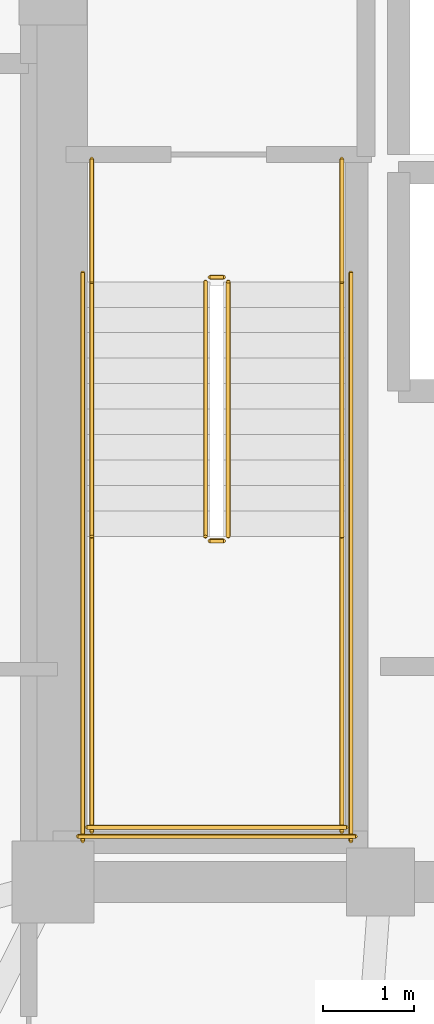
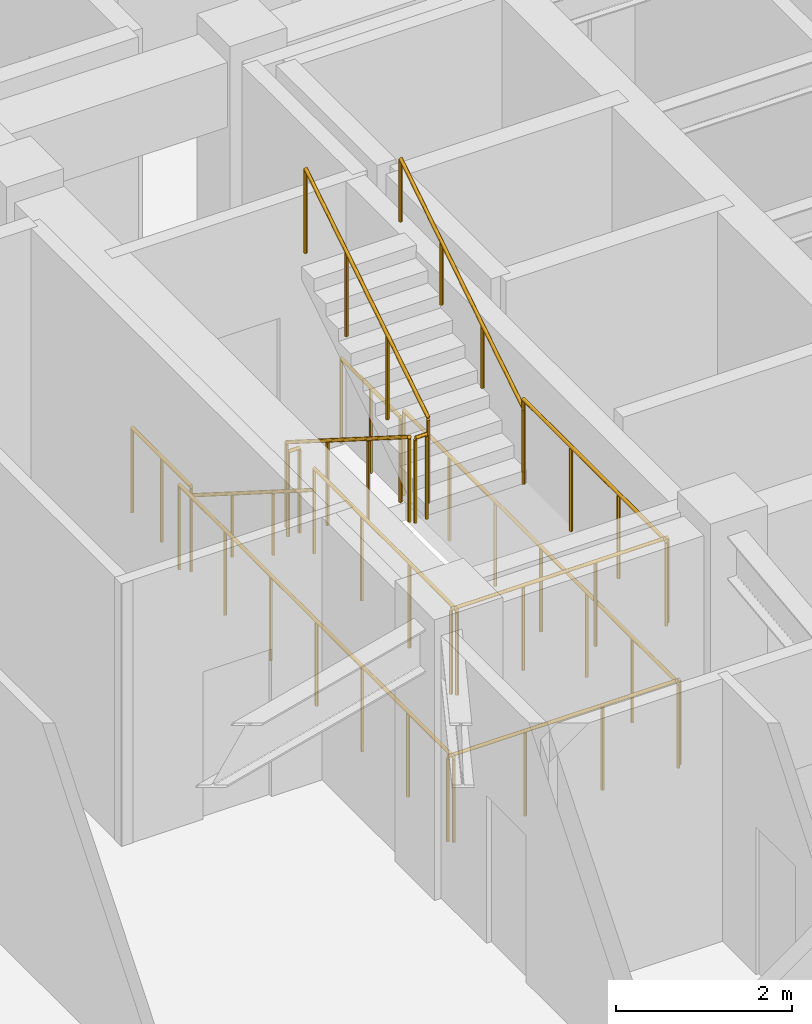
# One storey, part 11 of 12: 14 railings.
"""IFC4 building model written with IfcOpenShell, lengths in metres."""

import ifcopenshell
import ifcopenshell.guid

model = None  # the IFC model being written
_history = None  # IfcOwnerHistory: only IFC2X3 demands one
_inside = {}  # id of a spatial element -> (the spatial element, [elements in it])
_under = {}  # id of a project, library or spatial element -> (it, [spatial elements below it])
_declared = {}  # id of a project -> (the project, [libraries it declares])
_typed = {}  # id of a type object -> (the type object, [elements of that type])
_made_of = {}  # id of a material, layer set ... -> (it, [elements and type objects made of it])


def new_model(schema):
    """Start an empty IFC model of exactly this schema.

    Asked for "IFC4X3", IfcOpenShell would pick the latest addendum, in which some entities
    have other attributes; the version numbers below select the first issue.
    IFC2X3 requires an IfcOwnerHistory on every rooted entity: one is made here for all.
    """
    global model, _history
    if schema == "IFC4X3":
        model = ifcopenshell.file(schema_version=(4, 3, 0, 0))
    else:
        model = ifcopenshell.file(schema=schema)
    _inside.clear()
    _under.clear()
    _declared.clear()
    _typed.clear()
    _made_of.clear()
    _history = None
    if model.schema == "IFC2X3":
        org = make("IfcOrganization", Name="unknown")
        user = make(
            "IfcPersonAndOrganization",
            ThePerson=make("IfcPerson", FamilyName="unknown"),
            TheOrganization=org,
        )
        app = make(
            "IfcApplication",
            ApplicationDeveloper=org,
            Version="unknown",
            ApplicationFullName="unknown",
            ApplicationIdentifier="unknown",
        )
        _history = make(
            "IfcOwnerHistory",
            OwningUser=user,
            OwningApplication=app,
            ChangeAction="ADDED",
            CreationDate=0,
        )
    return model


def make(cls, **values):
    """One entity of the class cls with the attributes given. An attribute that is None is left unset."""
    return model.create_entity(
        cls, **{name: value for name, value in values.items() if value is not None}
    )


def rooted(cls, **values):
    """An entity with a GlobalId (a new one), such as an element, a storey or a relation."""
    return make(cls, GlobalId=ifcopenshell.guid.new(), OwnerHistory=_history, **values)


def si_unit(unit_type, name, prefix=None):
    """IfcSIUnit, for example si_unit("LENGTHUNIT", "METRE", prefix="MILLI")."""
    return make("IfcSIUnit", UnitType=unit_type, Prefix=prefix, Name=name)


def assignment(units):
    """IfcUnitAssignment: the units of a project."""
    return None if units is None else make("IfcUnitAssignment", Units=units)


def point(xyz):
    """IfcCartesianPoint."""
    return None if xyz is None else make("IfcCartesianPoint", Coordinates=xyz)


def direction(xyz):
    """IfcDirection."""
    return None if xyz is None else make("IfcDirection", DirectionRatios=xyz)


def frame(location, z_axis=None, x_axis=None):
    """IfcAxis2Placement3D, a coordinate frame: its origin and axes. An axis left out is left unset."""
    return make(
        "IfcAxis2Placement3D",
        Location=point(location),
        Axis=direction(z_axis),
        RefDirection=direction(x_axis),
    )


def frame_2d(location, x_axis=None):
    """IfcAxis2Placement2D, a coordinate frame in the plane: its origin and x axis."""
    return make(
        "IfcAxis2Placement2D", Location=point(location), RefDirection=direction(x_axis)
    )


def origin():
    """The frame at (0, 0, 0) with its axes left unset."""
    return frame((0.0, 0.0, 0.0))


def origin_2d():
    """The frame at (0, 0) in the plane with its x axis left unset."""
    return frame_2d((0.0, 0.0))


def place(relative_to, where):
    """IfcLocalPlacement: puts the frame where relative to a parent placement (None: the world)."""
    return make(
        "IfcLocalPlacement", PlacementRelTo=relative_to, RelativePlacement=where
    )


def context(
    kind, dimensions, precision=None, world=None, true_north=None, identifier=None
):
    """IfcGeometricRepresentationContext, for example the 3D "Model" context."""
    return make(
        "IfcGeometricRepresentationContext",
        ContextIdentifier=identifier,
        ContextType=kind,
        CoordinateSpaceDimension=dimensions,
        Precision=precision,
        WorldCoordinateSystem=world,
        TrueNorth=true_north,
    )


def subcontext(parent, identifier, kind, view, scale=None):
    """IfcGeometricRepresentationSubContext, for example "Body" below "Model"."""
    return make(
        "IfcGeometricRepresentationSubContext",
        ContextIdentifier=identifier,
        ContextType=kind,
        ParentContext=parent,
        TargetScale=scale,
        TargetView=view,
    )


def project(units=None, contexts=None):
    """IfcProject with its units and contexts."""
    return rooted(
        "IfcProject",
        Name="project",
        RepresentationContexts=contexts,
        UnitsInContext=assignment(units),
    )


def spatial(cls, under=None, at=None, **own):
    """A site, building, storey or space (cls), placed at a placement, below another one or the project."""
    s = rooted(cls, ObjectPlacement=at, **own)
    if under is not None:
        _under.setdefault(under.id(), (under, []))[1].append(s)
    return s


def profile(cls, at=None, kind="AREA", **sizes):
    """A parametric profile (cls). Its sizes go by their IFC names, for example OverallWidth=200.0."""
    return make(cls, ProfileType=kind, Position=at, **sizes)


def circle(**sizes):
    """IfcCircleProfileDef."""
    return profile("IfcCircleProfileDef", **sizes)


def extrude(swept, where, along, depth):
    """IfcExtrudedAreaSolid: the profile swept, set in the frame where, extruded along a direction by depth."""
    return make(
        "IfcExtrudedAreaSolid",
        SweptArea=swept,
        Position=where,
        ExtrudedDirection=direction(along),
        Depth=depth,
    )


def shape(context_of_items, identifier, shape_type, items):
    """IfcShapeRepresentation: the items that make up one representation, for example the "Body"."""
    return make(
        "IfcShapeRepresentation",
        ContextOfItems=context_of_items,
        RepresentationIdentifier=identifier,
        RepresentationType=shape_type,
        Items=items,
    )


def material(Name=None, Category=None):
    """IfcMaterial."""
    return make("IfcMaterial", Name=Name, Category=Category)


def made_of(thing, what):
    """Note that an element or type object is made of a material, layer set ...; save() writes the relation."""
    if what is not None:
        _made_of.setdefault(what.id(), (what, []))[1].append(thing)
    return thing


def type_object(cls, material=None, **own):
    """A type object (cls), such as IfcWallType, which elements share."""
    return made_of(rooted(cls, **own), material)


def element(
    cls,
    number,
    at=None,
    inside=None,
    cuts=None,
    type_object=None,
    material=None,
    context=None,
    identifier="Body",
    shape_type=None,
    held_by="IfcProductDefinitionShape",
    body=None,
    shapes=None,
    **own,
):
    """One element of the class cls, such as IfcWall. Its Tag is "e" and its number.

    at: its placement. inside: the storey or other place that contains it. cuts: it is an
    opening in that element (IfcRelVoidsElement). A single representation is given by context,
    identifier, shape_type and body (its items); several are given by shapes. held_by: the class
    of the entity that holds the representations. save() writes the other relations.
    """
    e = rooted(cls, Tag="e%d" % number, ObjectPlacement=at, **own)
    if body is not None:
        shapes = [shape(context, identifier, shape_type, body)]
    if shapes is not None:
        e.Representation = make(held_by, Representations=shapes)
    if inside is not None:
        _inside.setdefault(inside.id(), (inside, []))[1].append(e)
    if cuts is not None:
        rooted(
            "IfcRelVoidsElement", RelatingBuildingElement=cuts, RelatedOpeningElement=e
        )
    if type_object is not None:
        _typed.setdefault(type_object.id(), (type_object, []))[1].append(e)
    return made_of(e, material)


def aggregate(whole, parts):
    """IfcRelAggregates: a whole, such as a stair, and the parts it consists of."""
    return rooted("IfcRelAggregates", RelatingObject=whole, RelatedObjects=parts)


def save(model, path):
    """Write the relations noted so far, then the file.

    IfcRelAggregates (storeys below a building ...), IfcRelContainedInSpatialStructure (elements
    in a storey), IfcRelDefinesByType, IfcRelAssociatesMaterial and IfcRelDeclares: one each for
    every whole, place, type object, material and project.
    """
    for whole, parts in _under.values():
        aggregate(whole, parts)
    for where, things in _inside.values():
        rooted(
            "IfcRelContainedInSpatialStructure",
            RelatedElements=things,
            RelatingStructure=where,
        )
    for kind, things in _typed.values():
        rooted("IfcRelDefinesByType", RelatedObjects=things, RelatingType=kind)
    for what, things in _made_of.values():
        rooted("IfcRelAssociatesMaterial", RelatedObjects=things, RelatingMaterial=what)
    for by, libraries in _declared.values():
        rooted("IfcRelDeclares", RelatingContext=by, RelatedDefinitions=libraries)
    model.write(path)


model = new_model("IFC4")

# Units and contexts
model_context = context("Model", 3, precision=1e-05, world=origin(), true_north=direction((0.0, 1.0)))
body_context = subcontext(model_context, "Body", "Model", "MODEL_VIEW")
ifc_project = project(units=[si_unit("LENGTHUNIT", "METRE"), si_unit("AREAUNIT", "SQUARE_METRE"), si_unit("VOLUMEUNIT", "CUBIC_METRE"), si_unit("PLANEANGLEUNIT", "RADIAN"), si_unit("MASSUNIT", "GRAM", prefix="KILO")], contexts=[model_context])

# Site, building, storey
site_placement = place(None, origin())
site = spatial("IfcSite", under=ifc_project, at=site_placement, CompositionType="ELEMENT")
building_placement = place(site_placement, origin())
building = spatial("IfcBuilding", under=site, at=building_placement, Name="Voryun Gate Residences", CompositionType="ELEMENT")
storey_placement = place(building_placement, frame((0.0, 0.0, 167.699951171875)))
storey = spatial("IfcBuildingStorey", under=building, at=storey_placement, Name="L41", CompositionType="ELEMENT", Elevation=167.699951171875)

# Railings
ifc_material_1 = material(Name="Painted steel", Category="steel")
railing_type_1 = type_object("IfcRailingType", Name="RAIL_STAIR_GUARD_1200", PredefinedType="GUARDRAIL", material=ifc_material_1)
railing_1_placement = place(storey_placement, frame((-17.52490234375, -0.800048828125, 0.17724609375)))
element("IfcRailing", 1, at=railing_1_placement, inside=storey, type_object=railing_type_1, Name="L41 ST-W1 stair guard 1", PredefinedType="GUARDRAIL", context=body_context, shape_type="SweptSolid", body=[
    extrude(circle(Radius=0.02392578125, at=origin_2d()), frame((0.0, 0.0, 1.17578125), z_axis=(0.0, -0.844908973607, 0.534910110503), x_axis=(1.0, 0.0, 0.0)), (0.0, 0.0, 1.0), 3.31396484375),
    extrude(circle(Radius=0.02099609375, at=origin_2d()), origin(), (0.0, 0.0, 1.0), 1.15185546875),
    extrude(circle(Radius=0.02099609375, at=origin_2d()), frame((0.0, -0.933349609375, 0.5908203125)), (0.0, 0.0, 1.0), 1.15185546875),
    extrude(circle(Radius=0.02099609375, at=origin_2d()), frame((0.0, -1.86669921875, 1.181884765625)), (0.0, 0.0, 1.0), 1.15185546875),
    extrude(circle(Radius=0.02099609375, at=origin_2d()), frame((0.0, -2.800048828125, 1.772705078125)), (0.0, 0.0, 1.0), 1.15185546875),
])
railing_2_placement = place(storey_placement, frame((-17.47509765625, -3.64990234375, 1.949951171875)))
element("IfcRailing", 2, at=railing_2_placement, inside=storey, type_object=railing_type_1, Name="L41 ST-W1 stair guard 2", PredefinedType="GUARDRAIL", context=body_context, shape_type="SweptSolid", body=[
    extrude(circle(Radius=0.02392578125, at=origin_2d()), frame((0.0, 0.0, 1.17578125), z_axis=(1.0, 0.0, 0.0), x_axis=(0.0, 1.0, 0.0)), (0.0, 0.0, 1.0), 0.150146484375),
    extrude(circle(Radius=0.02099609375, at=origin_2d()), origin(), (0.0, 0.0, 1.0), 1.15185546875),
    extrude(circle(Radius=0.02099609375, at=origin_2d()), frame((0.150146484375, 0.0, 0.0)), (0.0, 0.0, 1.0), 1.15185546875),
])
for number, where, name in (
    (3, (-18.77490234375, -3.60009765625, 1.949951171875), "L41 ST-W1 stair guard 3"),
    (4, (-16.02490234375, -3.60009765625, 1.949951171875), "L41 ST-W1 stair guard 4"),
):
    element("IfcRailing", number, at=place(storey_placement, frame(where)), inside=storey, type_object=railing_type_1, Name=name, PredefinedType="GUARDRAIL", context=body_context, shape_type="SweptSolid", body=[
        extrude(circle(Radius=0.02392578125, at=origin_2d()), frame((0.0, 0.0, 1.17578125), z_axis=(0.0, -1.0, 0.0), x_axis=(1.0, 0.0, 0.0)), (0.0, 0.0, 1.0), 3.25),
        extrude(circle(Radius=0.02099609375, at=origin_2d()), origin(), (0.0, 0.0, 1.0), 1.15185546875),
        extrude(circle(Radius=0.02099609375, at=origin_2d()), frame((0.0, -1.083251953125, 0.0)), (0.0, 0.0, 1.0), 1.15185546875),
        extrude(circle(Radius=0.02099609375, at=origin_2d()), frame((0.0, -2.166748046875, 0.0)), (0.0, 0.0, 1.0), 1.15185546875),
        extrude(circle(Radius=0.02099609375, at=origin_2d()), frame((0.0, -3.25, 0.0)), (0.0, 0.0, 1.0), 1.15185546875),
    ])
railing_3_placement = place(storey_placement, frame((-18.824951171875, -6.800048828125, 1.949951171875)))
element("IfcRailing", 5, at=railing_3_placement, inside=storey, type_object=railing_type_1, Name="L41 ST-W1 stair guard 5", PredefinedType="GUARDRAIL", context=body_context, shape_type="SweptSolid", body=[
    extrude(circle(Radius=0.02392578125, at=origin_2d()), frame((0.0, 0.0, 1.17578125), z_axis=(1.0, 0.0, 0.0), x_axis=(0.0, 1.0, 0.0)), (0.0, 0.0, 1.0), 2.849853515625),
    extrude(circle(Radius=0.02099609375, at=origin_2d()), origin(), (0.0, 0.0, 1.0), 1.15185546875),
    extrude(circle(Radius=0.02099609375, at=origin_2d()), frame((0.949951171875, 0.0, 0.0)), (0.0, 0.0, 1.0), 1.15185546875),
    extrude(circle(Radius=0.02099609375, at=origin_2d()), frame((1.89990234375, 0.0, 0.0)), (0.0, 0.0, 1.0), 1.15185546875),
    extrude(circle(Radius=0.02099609375, at=origin_2d()), frame((2.849853515625, 0.0, 0.0)), (0.0, 0.0, 1.0), 1.15185546875),
])
railing_4_placement = place(storey_placement, frame((-17.27490234375, -3.60009765625, 2.12744140625)))
element("IfcRailing", 6, at=railing_4_placement, inside=storey, type_object=railing_type_1, Name="L41 ST-W1 stair guard 6", PredefinedType="GUARDRAIL", context=body_context, shape_type="SweptSolid", body=[
    extrude(circle(Radius=0.02392578125, at=origin_2d()), frame((0.0, 0.0, 1.17578125), z_axis=(0.0, 0.844908973607, 0.534910110503), x_axis=(-1.0, 0.0, 0.0)), (0.0, 0.0, 1.0), 3.31396484375),
    extrude(circle(Radius=0.02099609375, at=origin_2d()), origin(), (0.0, 0.0, 1.0), 1.15185546875),
    extrude(circle(Radius=0.02099609375, at=origin_2d()), frame((0.0, 0.933349609375, 0.5908203125)), (0.0, 0.0, 1.0), 1.15185546875),
    extrude(circle(Radius=0.02099609375, at=origin_2d()), frame((0.0, 1.86669921875, 1.181884765625)), (0.0, 0.0, 1.0), 1.15185546875),
    extrude(circle(Radius=0.02099609375, at=origin_2d()), frame((0.0, 2.800048828125, 1.772705078125)), (0.0, 0.0, 1.0), 1.15185546875),
])
railing_5_placement = place(storey_placement, frame((-17.47509765625, -0.75, 0.0)))
element("IfcRailing", 7, at=railing_5_placement, inside=storey, type_object=railing_type_1, Name="L41 ST-W1 stair guard 7", PredefinedType="GUARDRAIL", context=body_context, shape_type="SweptSolid", body=[
    extrude(circle(Radius=0.02392578125, at=origin_2d()), frame((0.0, 0.0, 1.17578125), z_axis=(1.0, 0.0, 0.0), x_axis=(0.0, 1.0, 0.0)), (0.0, 0.0, 1.0), 0.150146484375),
    extrude(circle(Radius=0.02099609375, at=origin_2d()), origin(), (0.0, 0.0, 1.0), 1.15185546875),
    extrude(circle(Radius=0.02099609375, at=origin_2d()), frame((0.150146484375, 0.0, 0.0)), (0.0, 0.0, 1.0), 1.15185546875),
])
for number, where, name in (
    (8, (-18.77490234375, 0.550048828125, 0.0), "L41 ST-W1 stair guard 8"),
    (9, (-16.02490234375, 0.550048828125, 0.0), "L41 ST-W1 stair guard 9"),
):
    element("IfcRailing", number, at=place(storey_placement, frame(where)), inside=storey, type_object=railing_type_1, Name=name, PredefinedType="GUARDRAIL", context=body_context, shape_type="SweptSolid", body=[
        extrude(circle(Radius=0.02392578125, at=origin_2d()), frame((0.0, 0.0, 1.17578125), z_axis=(0.0, -1.0, 0.0), x_axis=(1.0, 0.0, 0.0)), (0.0, 0.0, 1.0), 1.35009765625),
        extrude(circle(Radius=0.02099609375, at=origin_2d()), origin(), (0.0, 0.0, 1.0), 1.15185546875),
        extrude(circle(Radius=0.02099609375, at=origin_2d()), frame((0.0, -0.675048828125, 0.0)), (0.0, 0.0, 1.0), 1.15185546875),
        extrude(circle(Radius=0.02099609375, at=origin_2d()), frame((0.0, -1.35009765625, 0.0)), (0.0, 0.0, 1.0), 1.15185546875),
    ])
for number, where, name in (
    (10, (-18.875, -0.699951171875, 0.0), "L41 ST-W1 stair guard 10"),
    (11, (-15.925048828125, -0.699951171875, 0.0), "L41 ST-W1 stair guard 11"),
):
    element("IfcRailing", number, at=place(storey_placement, frame(where)), inside=storey, type_object=railing_type_1, Name=name, PredefinedType="GUARDRAIL", context=body_context, shape_type="SweptSolid", body=[
        extrude(circle(Radius=0.02392578125, at=origin_2d()), frame((0.0, 0.0, 1.17578125), z_axis=(0.0, -1.0, 0.0), x_axis=(1.0, 0.0, 0.0)), (0.0, 0.0, 1.0), 6.25),
        extrude(circle(Radius=0.02099609375, at=origin_2d()), origin(), (0.0, 0.0, 1.0), 1.15185546875),
        extrude(circle(Radius=0.02099609375, at=origin_2d()), frame((0.0, -1.041748046875, 0.0)), (0.0, 0.0, 1.0), 1.15185546875),
        extrude(circle(Radius=0.02099609375, at=origin_2d()), frame((0.0, -2.083251953125, 0.0)), (0.0, 0.0, 1.0), 1.15185546875),
        extrude(circle(Radius=0.02099609375, at=origin_2d()), frame((0.0, -3.125, 0.0)), (0.0, 0.0, 1.0), 1.15185546875),
        extrude(circle(Radius=0.02099609375, at=origin_2d()), frame((0.0, -4.166748046875, 0.0)), (0.0, 0.0, 1.0), 1.15185546875),
        extrude(circle(Radius=0.02099609375, at=origin_2d()), frame((0.0, -5.208251953125, 0.0)), (0.0, 0.0, 1.0), 1.15185546875),
        extrude(circle(Radius=0.02099609375, at=origin_2d()), frame((0.0, -6.25, 0.0)), (0.0, 0.0, 1.0), 1.15185546875),
    ])
railing_6_placement = place(storey_placement, frame((-18.925048828125, -6.89990234375, 0.0)))
element("IfcRailing", 12, at=railing_6_placement, inside=storey, type_object=railing_type_1, Name="L41 ST-W1 stair guard 12", PredefinedType="GUARDRAIL", context=body_context, shape_type="SweptSolid", body=[
    extrude(circle(Radius=0.02392578125, at=origin_2d()), frame((0.0, 0.0, 1.17578125), z_axis=(1.0, 0.0, 0.0), x_axis=(0.0, 1.0, 0.0)), (0.0, 0.0, 1.0), 3.050048828125),
    extrude(circle(Radius=0.02099609375, at=origin_2d()), origin(), (0.0, 0.0, 1.0), 1.15185546875),
    extrude(circle(Radius=0.02099609375, at=origin_2d()), frame((1.0166015625, 0.0, 0.0)), (0.0, 0.0, 1.0), 1.15185546875),
    extrude(circle(Radius=0.02099609375, at=origin_2d()), frame((2.033447265625, 0.0, 0.0)), (0.0, 0.0, 1.0), 1.15185546875),
    extrude(circle(Radius=0.02099609375, at=origin_2d()), frame((3.050048828125, 0.0, 0.0)), (0.0, 0.0, 1.0), 1.15185546875),
])
ifc_material_2 = material(Name="Painted steel", Category="steel")
railing_type_2 = type_object("IfcRailingType", Name="RAIL_STAIR_HANDRAIL_900", PredefinedType="HANDRAIL", material=ifc_material_2)
railing_7_placement = place(storey_placement, frame((-18.77490234375, -0.800048828125, 0.17724609375)))
element("IfcRailing", 13, at=railing_7_placement, inside=storey, type_object=railing_type_2, Name="L41 ST-W1 stair handrail 1", PredefinedType="HANDRAIL", context=body_context, shape_type="SweptSolid", body=[
    extrude(circle(Radius=0.02392578125, at=origin_2d()), frame((0.0, 0.0, 0.8759765625), z_axis=(0.0, -0.844908973607, 0.534910110503), x_axis=(1.0, 0.0, 0.0)), (0.0, 0.0, 1.0), 3.31396484375),
    extrude(circle(Radius=0.02099609375, at=origin_2d()), origin(), (0.0, 0.0, 1.0), 0.851806640625),
    extrude(circle(Radius=0.02099609375, at=origin_2d()), frame((0.0, -0.933349609375, 0.5908203125)), (0.0, 0.0, 1.0), 0.851806640625),
    extrude(circle(Radius=0.02099609375, at=origin_2d()), frame((0.0, -1.86669921875, 1.181884765625)), (0.0, 0.0, 1.0), 0.851806640625),
    extrude(circle(Radius=0.02099609375, at=origin_2d()), frame((0.0, -2.800048828125, 1.772705078125)), (0.0, 0.0, 1.0), 0.851806640625),
])
railing_8_placement = place(storey_placement, frame((-16.02490234375, -3.60009765625, 2.12744140625)))
element("IfcRailing", 14, at=railing_8_placement, inside=storey, type_object=railing_type_2, Name="L41 ST-W1 stair handrail 2", PredefinedType="HANDRAIL", context=body_context, shape_type="SweptSolid", body=[
    extrude(circle(Radius=0.02392578125, at=origin_2d()), frame((0.0, 0.0, 0.8759765625), z_axis=(0.0, 0.844908973607, 0.534910110503), x_axis=(-1.0, 0.0, 0.0)), (0.0, 0.0, 1.0), 3.31396484375),
    extrude(circle(Radius=0.02099609375, at=origin_2d()), origin(), (0.0, 0.0, 1.0), 0.851806640625),
    extrude(circle(Radius=0.02099609375, at=origin_2d()), frame((0.0, 0.933349609375, 0.5908203125)), (0.0, 0.0, 1.0), 0.851806640625),
    extrude(circle(Radius=0.02099609375, at=origin_2d()), frame((0.0, 1.86669921875, 1.181884765625)), (0.0, 0.0, 1.0), 0.851806640625),
    extrude(circle(Radius=0.02099609375, at=origin_2d()), frame((0.0, 2.800048828125, 1.772705078125)), (0.0, 0.0, 1.0), 0.851806640625),
])

save(model, "model.ifc")
